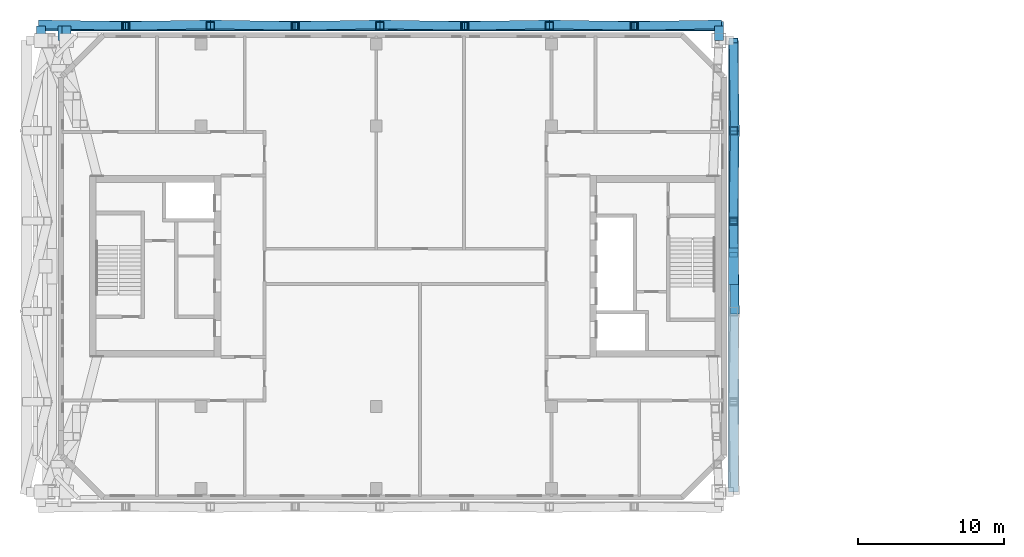
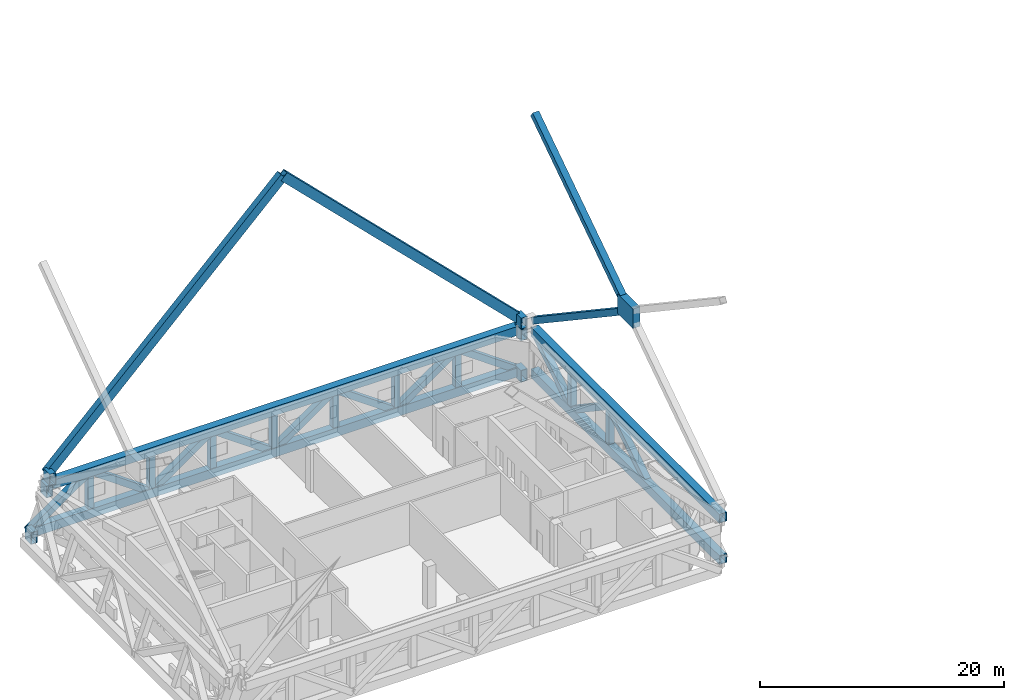
# One storey, part 3 of 20: 25 members, 10 beams.
"""IFC4 building model written with IfcOpenShell, lengths in metres."""

import ifcopenshell
import ifcopenshell.guid

model = None  # the IFC model being written
_history = None  # IfcOwnerHistory: only IFC2X3 demands one
_inside = {}  # id of a spatial element -> (the spatial element, [elements in it])
_under = {}  # id of a project, library or spatial element -> (it, [spatial elements below it])
_declared = {}  # id of a project -> (the project, [libraries it declares])
_typed = {}  # id of a type object -> (the type object, [elements of that type])
_made_of = {}  # id of a material, layer set ... -> (it, [elements and type objects made of it])


def new_model(schema):
    """Start an empty IFC model of exactly this schema.

    Asked for "IFC4X3", IfcOpenShell would pick the latest addendum, in which some entities
    have other attributes; the version numbers below select the first issue.
    IFC2X3 requires an IfcOwnerHistory on every rooted entity: one is made here for all.
    """
    global model, _history
    if schema == "IFC4X3":
        model = ifcopenshell.file(schema_version=(4, 3, 0, 0))
    else:
        model = ifcopenshell.file(schema=schema)
    _inside.clear()
    _under.clear()
    _declared.clear()
    _typed.clear()
    _made_of.clear()
    _history = None
    if model.schema == "IFC2X3":
        org = make("IfcOrganization", Name="unknown")
        user = make(
            "IfcPersonAndOrganization",
            ThePerson=make("IfcPerson", FamilyName="unknown"),
            TheOrganization=org,
        )
        app = make(
            "IfcApplication",
            ApplicationDeveloper=org,
            Version="unknown",
            ApplicationFullName="unknown",
            ApplicationIdentifier="unknown",
        )
        _history = make(
            "IfcOwnerHistory",
            OwningUser=user,
            OwningApplication=app,
            ChangeAction="ADDED",
            CreationDate=0,
        )
    return model


def make(cls, **values):
    """One entity of the class cls with the attributes given. An attribute that is None is left unset."""
    return model.create_entity(
        cls, **{name: value for name, value in values.items() if value is not None}
    )


def rooted(cls, **values):
    """An entity with a GlobalId (a new one), such as an element, a storey or a relation."""
    return make(cls, GlobalId=ifcopenshell.guid.new(), OwnerHistory=_history, **values)


def si_unit(unit_type, name, prefix=None):
    """IfcSIUnit, for example si_unit("LENGTHUNIT", "METRE", prefix="MILLI")."""
    return make("IfcSIUnit", UnitType=unit_type, Prefix=prefix, Name=name)


def assignment(units):
    """IfcUnitAssignment: the units of a project."""
    return None if units is None else make("IfcUnitAssignment", Units=units)


def point(xyz):
    """IfcCartesianPoint."""
    return None if xyz is None else make("IfcCartesianPoint", Coordinates=xyz)


def direction(xyz):
    """IfcDirection."""
    return None if xyz is None else make("IfcDirection", DirectionRatios=xyz)


def frame(location, z_axis=None, x_axis=None):
    """IfcAxis2Placement3D, a coordinate frame: its origin and axes. An axis left out is left unset."""
    return make(
        "IfcAxis2Placement3D",
        Location=point(location),
        Axis=direction(z_axis),
        RefDirection=direction(x_axis),
    )


def frame_2d(location, x_axis=None):
    """IfcAxis2Placement2D, a coordinate frame in the plane: its origin and x axis."""
    return make(
        "IfcAxis2Placement2D", Location=point(location), RefDirection=direction(x_axis)
    )


def origin():
    """The frame at (0, 0, 0) with its axes left unset."""
    return frame((0.0, 0.0, 0.0))


def origin_2d():
    """The frame at (0, 0) in the plane with its x axis left unset."""
    return frame_2d((0.0, 0.0))


def place(relative_to, where):
    """IfcLocalPlacement: puts the frame where relative to a parent placement (None: the world)."""
    return make(
        "IfcLocalPlacement", PlacementRelTo=relative_to, RelativePlacement=where
    )


def context(
    kind, dimensions, precision=None, world=None, true_north=None, identifier=None
):
    """IfcGeometricRepresentationContext, for example the 3D "Model" context."""
    return make(
        "IfcGeometricRepresentationContext",
        ContextIdentifier=identifier,
        ContextType=kind,
        CoordinateSpaceDimension=dimensions,
        Precision=precision,
        WorldCoordinateSystem=world,
        TrueNorth=true_north,
    )


def subcontext(parent, identifier, kind, view, scale=None):
    """IfcGeometricRepresentationSubContext, for example "Body" below "Model"."""
    return make(
        "IfcGeometricRepresentationSubContext",
        ContextIdentifier=identifier,
        ContextType=kind,
        ParentContext=parent,
        TargetScale=scale,
        TargetView=view,
    )


def project(units=None, contexts=None):
    """IfcProject with its units and contexts."""
    return rooted(
        "IfcProject",
        Name="project",
        RepresentationContexts=contexts,
        UnitsInContext=assignment(units),
    )


def spatial(cls, under=None, at=None, **own):
    """A site, building, storey or space (cls), placed at a placement, below another one or the project."""
    s = rooted(cls, ObjectPlacement=at, **own)
    if under is not None:
        _under.setdefault(under.id(), (under, []))[1].append(s)
    return s


def profile(cls, at=None, kind="AREA", **sizes):
    """A parametric profile (cls). Its sizes go by their IFC names, for example OverallWidth=200.0."""
    return make(cls, ProfileType=kind, Position=at, **sizes)


def rectangle(**sizes):
    """IfcRectangleProfileDef."""
    return profile("IfcRectangleProfileDef", **sizes)


def hollow_rectangle(**sizes):
    """IfcRectangleHollowProfileDef."""
    return profile("IfcRectangleHollowProfileDef", **sizes)


def extrude(swept, where, along, depth):
    """IfcExtrudedAreaSolid: the profile swept, set in the frame where, extruded along a direction by depth."""
    return make(
        "IfcExtrudedAreaSolid",
        SweptArea=swept,
        Position=where,
        ExtrudedDirection=direction(along),
        Depth=depth,
    )


def shape(context_of_items, identifier, shape_type, items):
    """IfcShapeRepresentation: the items that make up one representation, for example the "Body"."""
    return make(
        "IfcShapeRepresentation",
        ContextOfItems=context_of_items,
        RepresentationIdentifier=identifier,
        RepresentationType=shape_type,
        Items=items,
    )


def material(Name=None, Category=None):
    """IfcMaterial."""
    return make("IfcMaterial", Name=Name, Category=Category)


def material_profile(
    of_material, cross_section, Name=None, Category=None, Priority=None
):
    """IfcMaterialProfile: a cross section and its material."""
    return make(
        "IfcMaterialProfile",
        Name=Name,
        Material=of_material,
        Profile=cross_section,
        Priority=Priority,
        Category=Category,
    )


def profile_set(profiles, Name=None, composite=None):
    """IfcMaterialProfileSet."""
    return make(
        "IfcMaterialProfileSet",
        Name=Name,
        MaterialProfiles=profiles,
        CompositeProfile=composite,
    )


def made_of(thing, what):
    """Note that an element or type object is made of a material, layer set ...; save() writes the relation."""
    if what is not None:
        _made_of.setdefault(what.id(), (what, []))[1].append(thing)
    return thing


def type_object(cls, material=None, **own):
    """A type object (cls), such as IfcWallType, which elements share."""
    return made_of(rooted(cls, **own), material)


def element(
    cls,
    number,
    at=None,
    inside=None,
    cuts=None,
    type_object=None,
    material=None,
    context=None,
    identifier="Body",
    shape_type=None,
    held_by="IfcProductDefinitionShape",
    body=None,
    shapes=None,
    **own,
):
    """One element of the class cls, such as IfcWall. Its Tag is "e" and its number.

    at: its placement. inside: the storey or other place that contains it. cuts: it is an
    opening in that element (IfcRelVoidsElement). A single representation is given by context,
    identifier, shape_type and body (its items); several are given by shapes. held_by: the class
    of the entity that holds the representations. save() writes the other relations.
    """
    e = rooted(cls, Tag="e%d" % number, ObjectPlacement=at, **own)
    if body is not None:
        shapes = [shape(context, identifier, shape_type, body)]
    if shapes is not None:
        e.Representation = make(held_by, Representations=shapes)
    if inside is not None:
        _inside.setdefault(inside.id(), (inside, []))[1].append(e)
    if cuts is not None:
        rooted(
            "IfcRelVoidsElement", RelatingBuildingElement=cuts, RelatedOpeningElement=e
        )
    if type_object is not None:
        _typed.setdefault(type_object.id(), (type_object, []))[1].append(e)
    return made_of(e, material)


def aggregate(whole, parts):
    """IfcRelAggregates: a whole, such as a stair, and the parts it consists of."""
    return rooted("IfcRelAggregates", RelatingObject=whole, RelatedObjects=parts)


def save(model, path):
    """Write the relations noted so far, then the file.

    IfcRelAggregates (storeys below a building ...), IfcRelContainedInSpatialStructure (elements
    in a storey), IfcRelDefinesByType, IfcRelAssociatesMaterial and IfcRelDeclares: one each for
    every whole, place, type object, material and project.
    """
    for whole, parts in _under.values():
        aggregate(whole, parts)
    for where, things in _inside.values():
        rooted(
            "IfcRelContainedInSpatialStructure",
            RelatedElements=things,
            RelatingStructure=where,
        )
    for kind, things in _typed.values():
        rooted("IfcRelDefinesByType", RelatedObjects=things, RelatingType=kind)
    for what, things in _made_of.values():
        rooted("IfcRelAssociatesMaterial", RelatedObjects=things, RelatingMaterial=what)
    for by, libraries in _declared.values():
        rooted("IfcRelDeclares", RelatingContext=by, RelatedDefinitions=libraries)
    model.write(path)


model = new_model("IFC4")

# Units and contexts
model_context = context("Model", 3, precision=1e-05, world=origin(), true_north=direction((0.0, 1.0)))
body_context = subcontext(model_context, "Body", "Model", "MODEL_VIEW")
ifc_project = project(units=[si_unit("LENGTHUNIT", "METRE"), si_unit("AREAUNIT", "SQUARE_METRE"), si_unit("VOLUMEUNIT", "CUBIC_METRE"), si_unit("PLANEANGLEUNIT", "RADIAN"), si_unit("MASSUNIT", "GRAM", prefix="KILO")], contexts=[model_context])

# Site, building, storey
site_placement = place(None, origin())
site = spatial("IfcSite", under=ifc_project, at=site_placement, CompositionType="ELEMENT")
building_placement = place(site_placement, origin())
building = spatial("IfcBuilding", under=site, at=building_placement, Name="Tuart Gate Housing", CompositionType="ELEMENT")
storey_placement = place(building_placement, frame((0.0, 0.0, 167.10009765625)))
storey = spatial("IfcBuildingStorey", under=building, at=storey_placement, Name="L47", CompositionType="ELEMENT", Elevation=167.10009765625)

# Beams
ifc_material_1 = material(Name="Steel Grade 350", Category="steel")
ifc_material_profile_1 = material_profile(ifc_material_1, hollow_rectangle(XDim=0.699951171875, YDim=0.89990234375, WallThickness=0.0400390625, at=origin_2d()), Name="BOX 900x700x40")
ifc_profile_set_1 = profile_set([ifc_material_profile_1], Name="Steel Grade 350")
beam_type_1 = type_object("IfcBeamType", Name="Belt truss chord BOX 900x700x40", PredefinedType="BEAM", material=ifc_profile_set_1)
beam_1_placement = place(storey_placement, frame((76.449951171875, 54.550048828125, 3.75), z_axis=(0.0, 1.0, 0.0), x_axis=(-1.0, 0.0, 0.0)))
element("IfcBeam", 1, at=beam_1_placement, inside=storey, type_object=beam_type_1, Name="Belt truss top chord A east L47", PredefinedType="BEAM", context=body_context, shape_type="SweptSolid", body=[
    extrude(hollow_rectangle(XDim=0.699951171875, YDim=0.89990234375, WallThickness=0.0400390625, at=origin_2d()), origin(), (0.0, 0.0, 1.0), 30.89990234375),
])
ifc_material_2 = material(Name="Steel Grade 350", Category="steel")
ifc_material_profile_2 = material_profile(ifc_material_2, hollow_rectangle(XDim=0.699951171875, YDim=0.89990234375, WallThickness=0.0400390625, at=origin_2d()), Name="BOX 900x700x40")
ifc_profile_set_2 = profile_set([ifc_material_profile_2], Name="Steel Grade 350")
beam_type_2 = type_object("IfcBeamType", Name="Belt truss chord BOX 900x700x40 (40.9-51.9 m)", PredefinedType="BEAM", material=ifc_profile_set_2)
beam_2_placement = place(storey_placement, frame((30.50830078125, 86.449951171875, 3.75), z_axis=(1.0, 0.0, 0.0), x_axis=(0.0, 1.0, 0.0)))
element("IfcBeam", 2, at=beam_2_placement, inside=storey, type_object=beam_type_2, Name="Belt truss top chord A north L47", PredefinedType="BEAM", context=body_context, shape_type="SweptSolid", body=[
    extrude(hollow_rectangle(XDim=0.699951171875, YDim=0.89990234375, WallThickness=0.0400390625, at=origin_2d()), origin(), (0.0, 0.0, 1.0), 44.941650390625),
])

# Members
ifc_material_3 = material(Name="Steel Grade 350", Category="steel")
ifc_material_profile_3 = material_profile(ifc_material_3, hollow_rectangle(XDim=0.60009765625, YDim=0.60009765625, WallThickness=0.031982421875, at=origin_2d()), Name="BOX 600x600x32")
ifc_profile_set_3 = profile_set([ifc_material_profile_3], Name="Steel Grade 350")
member_type_1 = type_object("IfcMemberType", Name="Belt truss diagonal BOX 600x600x32", PredefinedType="BRACE", material=ifc_profile_set_3)
member_1_placement = place(storey_placement, frame((29.050048828125, 86.550048828125, -0.400146484375), z_axis=(0.813172004898, -0.014033780444, 0.581854228701), x_axis=(0.017255501798, 0.999851112745, 0.0)))
element("IfcMember", 3, at=member_1_placement, inside=storey, type_object=member_type_1, Name="Belt truss diagonal A north 0 L47", PredefinedType="BRACE", context=body_context, shape_type="SweptSolid", body=[
    extrude(hollow_rectangle(XDim=0.60009765625, YDim=0.60009765625, WallThickness=0.031982421875, at=origin_2d()), origin(), (0.0, 0.0, 1.0), 7.132568359375),
])
member_2_placement = place(storey_placement, frame((34.85009765625, 86.449951171875, 3.75), z_axis=(0.813160409386, 0.014034171066, -0.581870424278), x_axis=(-0.017256227946, 0.999851100213, 0.0)))
element("IfcMember", 4, at=member_2_placement, inside=storey, type_object=member_type_1, Name="Belt truss diagonal A north 1 L47", PredefinedType="BRACE", context=body_context, shape_type="SweptSolid", body=[
    extrude(hollow_rectangle(XDim=0.60009765625, YDim=0.60009765625, WallThickness=0.031982421875, at=origin_2d()), origin(), (0.0, 0.0, 1.0), 7.13232421875),
])
for number, where, z_axis, x_axis, name in (
    (5, (40.64990234375, 86.550048828125, -0.400146484375), (0.813172004898, -0.014033780444, 0.581854228701), (0.017255501798, 0.999851112745, 0.0), "Belt truss diagonal A north 2 L47"),
    (6, (46.449951171875, 86.449951171875, 3.75), (0.813172004898, 0.014033780444, -0.581854228701), (-0.017255501798, 0.999851112745, 0.0), "Belt truss diagonal A north 3 L47"),
    (7, (52.25, 86.550048828125, -0.400146484375), (0.813172004898, -0.014033780444, 0.581854228701), (0.017255501798, 0.999851112745, 0.0), "Belt truss diagonal A north 4 L47"),
    (8, (58.050048828125, 86.449951171875, 3.75), (0.813172004898, 0.014033780444, -0.581854228701), (-0.017255501798, 0.999851112745, 0.0), "Belt truss diagonal A north 5 L47"),
):
    element("IfcMember", number, at=place(storey_placement, frame(where, z_axis=z_axis, x_axis=x_axis)), inside=storey, type_object=member_type_1, Name=name, PredefinedType="BRACE", context=body_context, shape_type="SweptSolid", body=[
        extrude(hollow_rectangle(XDim=0.60009765625, YDim=0.60009765625, WallThickness=0.031982421875, at=origin_2d()), origin(), (0.0, 0.0, 1.0), 7.132568359375),
    ])
member_3_placement = place(storey_placement, frame((63.85009765625, 86.550048828125, -0.400146484375), z_axis=(0.813160409386, -0.014034171066, 0.581870424278), x_axis=(0.017256227946, 0.999851100213, 0.0)))
element("IfcMember", 9, at=member_3_placement, inside=storey, type_object=member_type_1, Name="Belt truss diagonal A north 6 L47", PredefinedType="BRACE", context=body_context, shape_type="SweptSolid", body=[
    extrude(hollow_rectangle(XDim=0.60009765625, YDim=0.60009765625, WallThickness=0.031982421875, at=origin_2d()), origin(), (0.0, 0.0, 1.0), 7.13232421875),
])
member_4_placement = place(storey_placement, frame((69.64990234375, 86.449951171875, 3.75), z_axis=(0.813172004898, 0.014033780444, -0.581854228701), x_axis=(-0.017255501798, 0.999851112745, 0.0)))
element("IfcMember", 10, at=member_4_placement, inside=storey, type_object=member_type_1, Name="Belt truss diagonal A north 7 L47", PredefinedType="BRACE", context=body_context, shape_type="SweptSolid", body=[
    extrude(hollow_rectangle(XDim=0.60009765625, YDim=0.60009765625, WallThickness=0.031982421875, at=origin_2d()), origin(), (0.0, 0.0, 1.0), 7.132568359375),
])
member_5_placement = place(storey_placement, frame((76.550048828125, 66.909912109375, -0.400146484375), z_axis=(-0.013444916139, 0.830108797891, 0.557439340102), x_axis=(-0.999868861343, -0.016194447071, 0.0)))
element("IfcMember", 11, at=member_5_placement, inside=storey, type_object=member_type_1, Name="Belt truss diagonal A east 2 L47", PredefinedType="BRACE", context=body_context, shape_type="SweptSolid", body=[
    extrude(hollow_rectangle(XDim=0.60009765625, YDim=0.60009765625, WallThickness=0.031982421875, at=origin_2d()), origin(), (0.0, 0.0, 1.0), 7.445068359375),
])
for number, where, z_axis, x_axis, name in (
    (12, (76.449951171875, 73.090087890625, 3.75), (0.013445282135, 0.830098601658, -0.55745451466), (-0.999868850984, 0.016195086671, 0.0), "Belt truss diagonal A east 3 L47"),
    (13, (76.550048828125, 79.27001953125, -0.400146484375), (-0.013445282135, 0.830098601658, 0.55745451466), (-0.999868850984, -0.016195086671, 0.0), "Belt truss diagonal A east 4 L47"),
):
    element("IfcMember", number, at=place(storey_placement, frame(where, z_axis=z_axis, x_axis=x_axis)), inside=storey, type_object=member_type_1, Name=name, PredefinedType="BRACE", context=body_context, shape_type="SweptSolid", body=[
        extrude(hollow_rectangle(XDim=0.60009765625, YDim=0.60009765625, WallThickness=0.031982421875, at=origin_2d()), origin(), (0.0, 0.0, 1.0), 7.44482421875),
    ])
ifc_material_4 = material(Name="Steel Grade 350", Category="steel")
ifc_material_profile_4 = material_profile(ifc_material_4, hollow_rectangle(XDim=0.56005859375, YDim=0.56005859375, WallThickness=0.030029296875, at=origin_2d()), Name="BOX 560x560x30")
ifc_profile_set_4 = profile_set([ifc_material_profile_4], Name="Steel Grade 350")
member_type_2 = type_object("IfcMemberType", Name="Belt truss post BOX 560x560x30", PredefinedType="POST", material=ifc_profile_set_4)
for number, where, z_axis, x_axis, name in (
    (14, (34.85009765625, 86.449951171875, -0.400146484375), (0.0, 0.0, 1.0), (1.0, 0.0, 0.0), "Belt truss post A north 1 L47"),
    (15, (40.64990234375, 86.449951171875, -0.400146484375), (0.0, 0.0, 1.0), (1.0, 0.0, 0.0), "Belt truss post A north 2 L47"),
    (16, (46.449951171875, 86.449951171875, -0.400146484375), (0.0, 0.0, 1.0), (1.0, 0.0, 0.0), "Belt truss post A north 3 L47"),
    (17, (52.25, 86.449951171875, -0.400146484375), (0.0, 0.0, 1.0), (1.0, 0.0, 0.0), "Belt truss post A north 4 L47"),
    (18, (58.050048828125, 86.449951171875, -0.400146484375), (0.0, 0.0, 1.0), (1.0, 0.0, 0.0), "Belt truss post A north 5 L47"),
    (19, (63.85009765625, 86.449951171875, -0.400146484375), (0.0, 0.0, 1.0), (1.0, 0.0, 0.0), "Belt truss post A north 6 L47"),
    (20, (69.64990234375, 86.449951171875, -0.400146484375), (0.0, 0.0, 1.0), (1.0, 0.0, 0.0), "Belt truss post A north 7 L47"),
    (21, (76.449951171875, 73.090087890625, -0.400146484375), (0.0, 0.0, 1.0), (1.0, 0.0, 0.0), "Belt truss post A east 3 L47"),
    (22, (76.449951171875, 79.27001953125, -0.400146484375), (0.0, 0.0, 1.0), (1.0, 0.0, 0.0), "Belt truss post A east 4 L47"),
):
    element("IfcMember", number, at=place(storey_placement, frame(where, z_axis=z_axis, x_axis=x_axis)), inside=storey, type_object=member_type_2, Name=name, PredefinedType="POST", context=body_context, shape_type="SweptSolid", body=[
        extrude(hollow_rectangle(XDim=0.56005859375, YDim=0.56005859375, WallThickness=0.030029296875, at=origin_2d()), origin(), (0.0, 0.0, 1.0), 4.150146484375),
    ])
ifc_material_5 = material(Name="Steel Grade 350", Category="steel")
ifc_material_profile_5 = material_profile(ifc_material_5, rectangle(XDim=2.47900390625, YDim=1.95703125, at=origin_2d()), Name="Brace node plate 2479 x 1957")
ifc_profile_set_5 = profile_set([ifc_material_profile_5], Name="Steel Grade 350")
member_type_3 = type_object("IfcMemberType", Name="Brace node plate 2479 x 1957", PredefinedType="PLATE", material=ifc_profile_set_5)
member_6_placement = place(storey_placement, frame((76.10498046875, 70.0, 15.159912109375), z_axis=(1.0, 0.0, 0.0), x_axis=(0.0, 1.0, 0.0)))
element("IfcMember", 23, at=member_6_placement, inside=storey, type_object=member_type_3, Name="Brace node A zone 7 east", PredefinedType="PLATE", context=body_context, shape_type="SweptSolid", body=[
    extrude(rectangle(XDim=2.47900390625, YDim=1.95703125, at=origin_2d()), origin(), (0.0, 0.0, 1.0), 0.68994140625),
])

# Beams
ifc_material_6 = material(Name="Steel Grade 350", Category="steel")
ifc_material_profile_6 = material_profile(ifc_material_6, hollow_rectangle(XDim=0.60009765625, YDim=1.199951171875, WallThickness=0.0400390625, at=origin_2d()), Name="BOX 1200x600x40")
ifc_profile_set_6 = profile_set([ifc_material_profile_6], Name="Steel Grade 350")
beam_type_3 = type_object("IfcBeamType", Name="Brace shoe BOX 1200x600x40", PredefinedType="BEAM", material=ifc_profile_set_6)
for number, where, z_axis, x_axis, name in (
    (24, (29.050048828125, 85.449951171875, -0.400146484375), (0.0, 1.0, 0.0), (-1.0, 0.0, 0.0), "Mega tie beam A node 6 north shoe 0 L47"),
    (25, (75.449951171875, 85.449951171875, -0.400146484375), (0.0, 1.0, 0.0), (-1.0, 0.0, 0.0), "Mega tie beam A node 6 north shoe 1 L47"),
    (26, (30.800048828125, 85.449951171875, 4.81982421875), (0.0, 1.0, 0.0), (-1.0, 0.0, 0.0), "Mega brace shoe A zone 7 north chevron 1"),
    (27, (75.449951171875, 85.449951171875, 4.81982421875), (0.0, 1.0, 0.0), (-1.0, 0.0, 0.0), "Mega brace shoe A zone 7 north chevron 2"),
    (28, (30.50830078125, 85.449951171875, 3.75), (0.0, 1.0, 0.0), (-1.0, 0.0, 0.0), "Belt truss top chord A north shoe 0 L47"),
    (29, (75.449951171875, 85.449951171875, 3.75), (0.0, 1.0, 0.0), (-1.0, 0.0, 0.0), "Belt truss top chord A north shoe 1 L47"),
):
    element("IfcBeam", number, at=place(storey_placement, frame(where, z_axis=z_axis, x_axis=x_axis)), inside=storey, type_object=beam_type_3, Name=name, PredefinedType="BEAM", context=body_context, shape_type="SweptSolid", body=[
        extrude(hollow_rectangle(XDim=0.60009765625, YDim=1.199951171875, WallThickness=0.0400390625, at=origin_2d()), origin(), (0.0, 0.0, 1.0), 1.0),
    ])

# Members
ifc_material_7 = material(Name="Steel Grade 350", Category="steel")
ifc_material_profile_7 = material_profile(ifc_material_7, hollow_rectangle(XDim=0.60009765625, YDim=0.60009765625, WallThickness=0.030029296875, at=origin_2d()), Name="BOX 600x600x30")
ifc_profile_set_7 = profile_set([ifc_material_profile_7], Name="Steel Grade 350")
member_type_4 = type_object("IfcMemberType", Name="Mega brace BOX 600x600x30", PredefinedType="BRACE", material=ifc_profile_set_7)
for number, where, z_axis, x_axis, name in (
    (30, (76.449951171875, 70.78955078125, 15.688232421875), (0.0, 0.831050370264, 0.556197161161), (-1.0, 0.0, 0.0), "Mega brace A zone 7 east cross 1 b"),
    (31, (76.449951171875, 85.449951171875, 4.81982421875), (0.0, -0.831050370264, 0.556197161161), (1.0, 0.0, 0.0), "Mega brace A zone 7 east cross 2 a"),
):
    element("IfcMember", number, at=place(storey_placement, frame(where, z_axis=z_axis, x_axis=x_axis)), inside=storey, type_object=member_type_4, Name=name, PredefinedType="BRACE", context=body_context, shape_type="SweptSolid", body=[
        extrude(hollow_rectangle(XDim=0.60009765625, YDim=0.60009765625, WallThickness=0.030029296875, at=origin_2d()), origin(), (0.0, 0.0, 1.0), 17.640869140625),
    ])
ifc_material_8 = material(Name="Steel Grade 350", Category="steel")
ifc_material_profile_8 = material_profile(ifc_material_8, hollow_rectangle(XDim=0.60009765625, YDim=0.85009765625, WallThickness=0.0419921875, at=origin_2d()), Name="BOX 850x600x42")
ifc_profile_set_8 = profile_set([ifc_material_profile_8], Name="Steel Grade 350")
member_type_5 = type_object("IfcMemberType", Name="Mega brace BOX 850x600x42", PredefinedType="BRACE", material=ifc_profile_set_8)
for number, where, z_axis, x_axis, name in (
    (32, (30.800048828125, 86.449951171875, 4.81982421875), (0.710995334989, 0.0, 0.703196724696), (0.0, 1.0, 0.0), "Mega brace A zone 7 north chevron 1"),
    (33, (75.449951171875, 86.449951171875, 4.81982421875), (-0.710995334989, 0.0, 0.703196724696), (0.0, -1.0, 0.0), "Mega brace A zone 7 north chevron 2"),
):
    element("IfcMember", number, at=place(storey_placement, frame(where, z_axis=z_axis, x_axis=x_axis)), inside=storey, type_object=member_type_5, Name=name, PredefinedType="BRACE", context=body_context, shape_type="SweptSolid", body=[
        extrude(hollow_rectangle(XDim=0.60009765625, YDim=0.85009765625, WallThickness=0.0419921875, at=origin_2d()), origin(), (0.0, 0.0, 1.0), 31.399658203125),
    ])

# Beams
ifc_material_9 = material(Name="Steel Grade 350", Category="steel")
ifc_material_profile_9 = material_profile(ifc_material_9, hollow_rectangle(XDim=0.699951171875, YDim=0.89990234375, WallThickness=0.0400390625, at=origin_2d()), Name="BOX 900x700x40")
ifc_profile_set_9 = profile_set([ifc_material_profile_9], Name="Steel Grade 350")
beam_type_4 = type_object("IfcBeamType", Name="Tie beam BOX 900x700x40", PredefinedType="BEAM", material=ifc_profile_set_9)
beam_3_placement = place(storey_placement, frame((76.449951171875, 54.550048828125, -0.400146484375), z_axis=(0.0, 1.0, 0.0), x_axis=(-1.0, 0.0, 0.0)))
element("IfcBeam", 34, at=beam_3_placement, inside=storey, type_object=beam_type_4, Name="Mega tie beam A node 6 east L47", PredefinedType="BEAM", context=body_context, shape_type="SweptSolid", body=[
    extrude(hollow_rectangle(XDim=0.699951171875, YDim=0.89990234375, WallThickness=0.0400390625, at=origin_2d()), origin(), (0.0, 0.0, 1.0), 30.89990234375),
])
ifc_material_10 = material(Name="Steel Grade 350", Category="steel")
ifc_material_profile_10 = material_profile(ifc_material_10, hollow_rectangle(XDim=0.699951171875, YDim=0.89990234375, WallThickness=0.0400390625, at=origin_2d()), Name="BOX 900x700x40")
ifc_profile_set_10 = profile_set([ifc_material_profile_10], Name="Steel Grade 350")
beam_type_5 = type_object("IfcBeamType", Name="Tie beam BOX 900x700x40 (40.6-51.7 m)", PredefinedType="BEAM", material=ifc_profile_set_10)
beam_4_placement = place(storey_placement, frame((29.050048828125, 86.449951171875, -0.400146484375), z_axis=(1.0, 0.0, 0.0), x_axis=(0.0, 1.0, 0.0)))
element("IfcBeam", 35, at=beam_4_placement, inside=storey, type_object=beam_type_5, Name="Mega tie beam A node 6 north L47", PredefinedType="BEAM", context=body_context, shape_type="SweptSolid", body=[
    extrude(hollow_rectangle(XDim=0.699951171875, YDim=0.89990234375, WallThickness=0.0400390625, at=origin_2d()), origin(), (0.0, 0.0, 1.0), 46.39990234375),
])

save(model, "model.ifc")
